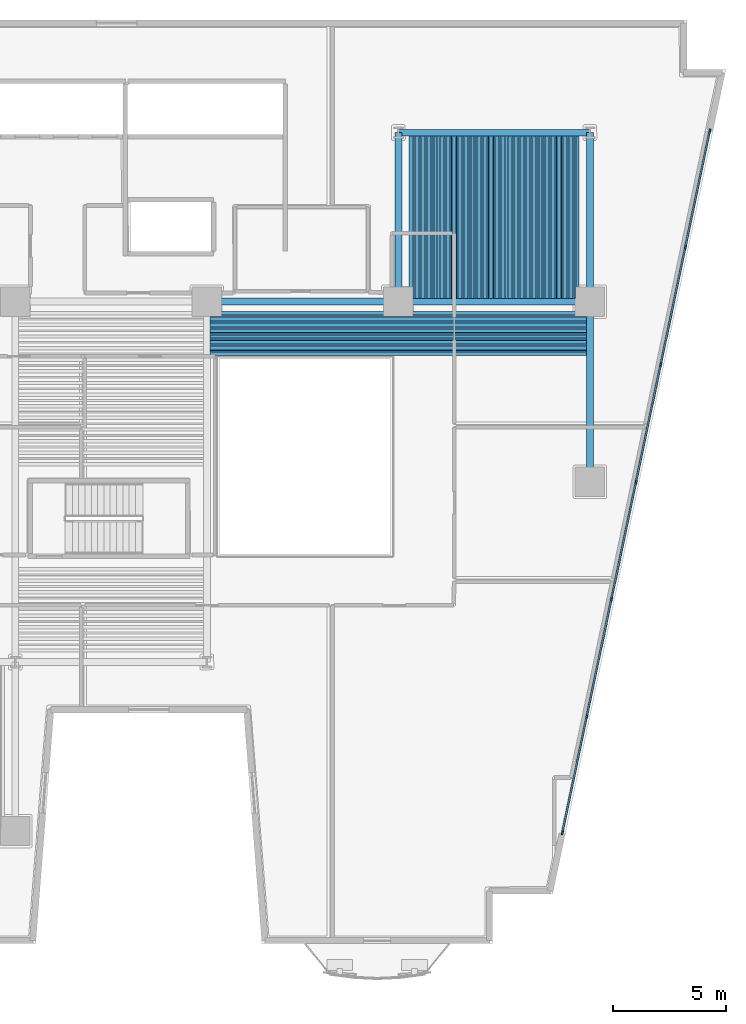
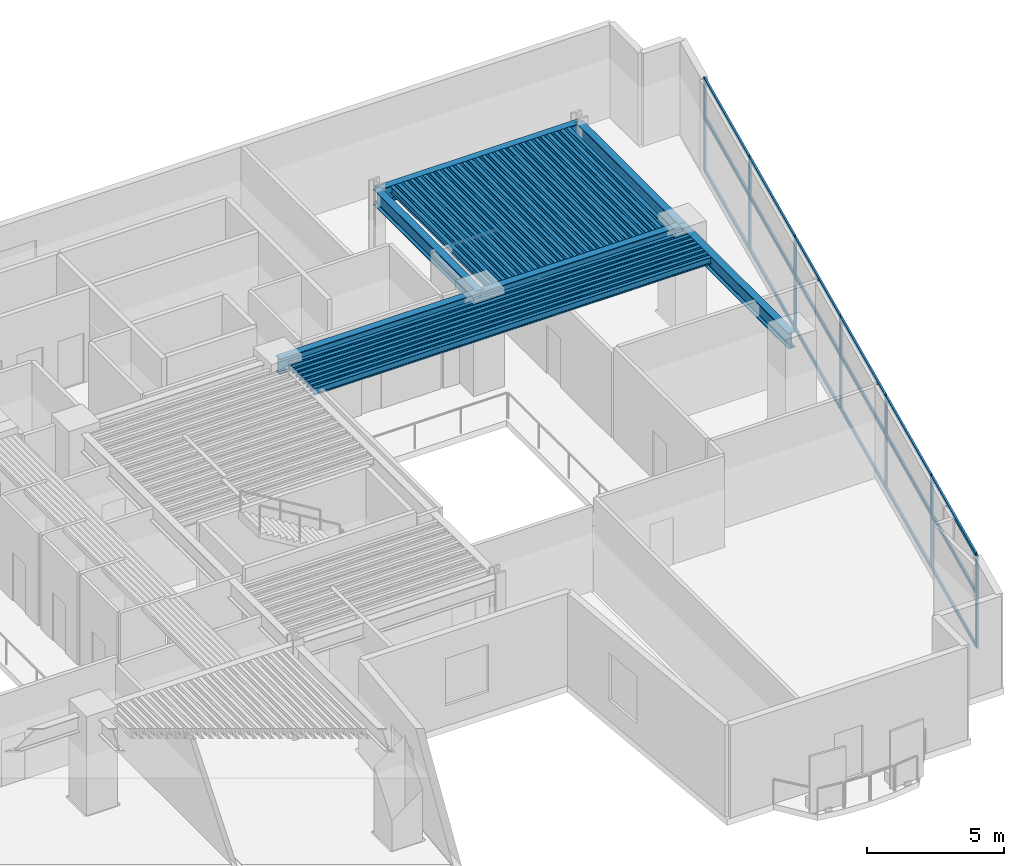
# One storey, part 2 of 12: 76 beams, 25 members, 1 element without a shape of its own.
"""IFC4 building model written with IfcOpenShell, lengths in metres."""

import ifcopenshell
import ifcopenshell.guid

model = None  # the IFC model being written
_history = None  # IfcOwnerHistory: only IFC2X3 demands one
_inside = {}  # id of a spatial element -> (the spatial element, [elements in it])
_under = {}  # id of a project, library or spatial element -> (it, [spatial elements below it])
_declared = {}  # id of a project -> (the project, [libraries it declares])
_typed = {}  # id of a type object -> (the type object, [elements of that type])
_made_of = {}  # id of a material, layer set ... -> (it, [elements and type objects made of it])


def new_model(schema):
    """Start an empty IFC model of exactly this schema.

    Asked for "IFC4X3", IfcOpenShell would pick the latest addendum, in which some entities
    have other attributes; the version numbers below select the first issue.
    IFC2X3 requires an IfcOwnerHistory on every rooted entity: one is made here for all.
    """
    global model, _history
    if schema == "IFC4X3":
        model = ifcopenshell.file(schema_version=(4, 3, 0, 0))
    else:
        model = ifcopenshell.file(schema=schema)
    _inside.clear()
    _under.clear()
    _declared.clear()
    _typed.clear()
    _made_of.clear()
    _history = None
    if model.schema == "IFC2X3":
        org = make("IfcOrganization", Name="unknown")
        user = make(
            "IfcPersonAndOrganization",
            ThePerson=make("IfcPerson", FamilyName="unknown"),
            TheOrganization=org,
        )
        app = make(
            "IfcApplication",
            ApplicationDeveloper=org,
            Version="unknown",
            ApplicationFullName="unknown",
            ApplicationIdentifier="unknown",
        )
        _history = make(
            "IfcOwnerHistory",
            OwningUser=user,
            OwningApplication=app,
            ChangeAction="ADDED",
            CreationDate=0,
        )
    return model


def make(cls, **values):
    """One entity of the class cls with the attributes given. An attribute that is None is left unset."""
    return model.create_entity(
        cls, **{name: value for name, value in values.items() if value is not None}
    )


def rooted(cls, **values):
    """An entity with a GlobalId (a new one), such as an element, a storey or a relation."""
    return make(cls, GlobalId=ifcopenshell.guid.new(), OwnerHistory=_history, **values)


def si_unit(unit_type, name, prefix=None):
    """IfcSIUnit, for example si_unit("LENGTHUNIT", "METRE", prefix="MILLI")."""
    return make("IfcSIUnit", UnitType=unit_type, Prefix=prefix, Name=name)


def assignment(units):
    """IfcUnitAssignment: the units of a project."""
    return None if units is None else make("IfcUnitAssignment", Units=units)


def point(xyz):
    """IfcCartesianPoint."""
    return None if xyz is None else make("IfcCartesianPoint", Coordinates=xyz)


def direction(xyz):
    """IfcDirection."""
    return None if xyz is None else make("IfcDirection", DirectionRatios=xyz)


def frame(location, z_axis=None, x_axis=None):
    """IfcAxis2Placement3D, a coordinate frame: its origin and axes. An axis left out is left unset."""
    return make(
        "IfcAxis2Placement3D",
        Location=point(location),
        Axis=direction(z_axis),
        RefDirection=direction(x_axis),
    )


def frame_2d(location, x_axis=None):
    """IfcAxis2Placement2D, a coordinate frame in the plane: its origin and x axis."""
    return make(
        "IfcAxis2Placement2D", Location=point(location), RefDirection=direction(x_axis)
    )


def origin():
    """The frame at (0, 0, 0) with its axes left unset."""
    return frame((0.0, 0.0, 0.0))


def origin_2d():
    """The frame at (0, 0) in the plane with its x axis left unset."""
    return frame_2d((0.0, 0.0))


def place(relative_to, where):
    """IfcLocalPlacement: puts the frame where relative to a parent placement (None: the world)."""
    return make(
        "IfcLocalPlacement", PlacementRelTo=relative_to, RelativePlacement=where
    )


def context(
    kind, dimensions, precision=None, world=None, true_north=None, identifier=None
):
    """IfcGeometricRepresentationContext, for example the 3D "Model" context."""
    return make(
        "IfcGeometricRepresentationContext",
        ContextIdentifier=identifier,
        ContextType=kind,
        CoordinateSpaceDimension=dimensions,
        Precision=precision,
        WorldCoordinateSystem=world,
        TrueNorth=true_north,
    )


def subcontext(parent, identifier, kind, view, scale=None):
    """IfcGeometricRepresentationSubContext, for example "Body" below "Model"."""
    return make(
        "IfcGeometricRepresentationSubContext",
        ContextIdentifier=identifier,
        ContextType=kind,
        ParentContext=parent,
        TargetScale=scale,
        TargetView=view,
    )


def project(units=None, contexts=None):
    """IfcProject with its units and contexts."""
    return rooted(
        "IfcProject",
        Name="project",
        RepresentationContexts=contexts,
        UnitsInContext=assignment(units),
    )


def spatial(cls, under=None, at=None, **own):
    """A site, building, storey or space (cls), placed at a placement, below another one or the project."""
    s = rooted(cls, ObjectPlacement=at, **own)
    if under is not None:
        _under.setdefault(under.id(), (under, []))[1].append(s)
    return s


def profile(cls, at=None, kind="AREA", **sizes):
    """A parametric profile (cls). Its sizes go by their IFC names, for example OverallWidth=200.0."""
    return make(cls, ProfileType=kind, Position=at, **sizes)


def rectangle(**sizes):
    """IfcRectangleProfileDef."""
    return profile("IfcRectangleProfileDef", **sizes)


def hollow_rectangle(**sizes):
    """IfcRectangleHollowProfileDef."""
    return profile("IfcRectangleHollowProfileDef", **sizes)


def i_section(**sizes):
    """IfcIShapeProfileDef."""
    return profile("IfcIShapeProfileDef", **sizes)


def extrude(swept, where, along, depth):
    """IfcExtrudedAreaSolid: the profile swept, set in the frame where, extruded along a direction by depth."""
    return make(
        "IfcExtrudedAreaSolid",
        SweptArea=swept,
        Position=where,
        ExtrudedDirection=direction(along),
        Depth=depth,
    )


def shape(context_of_items, identifier, shape_type, items):
    """IfcShapeRepresentation: the items that make up one representation, for example the "Body"."""
    return make(
        "IfcShapeRepresentation",
        ContextOfItems=context_of_items,
        RepresentationIdentifier=identifier,
        RepresentationType=shape_type,
        Items=items,
    )


def material(Name=None, Category=None):
    """IfcMaterial."""
    return make("IfcMaterial", Name=Name, Category=Category)


def layer(
    of_material, thickness, ventilated=None, Name=None, Category=None, Priority=None
):
    """IfcMaterialLayer: one layer of a wall or slab, of a material (None: an air gap)."""
    return make(
        "IfcMaterialLayer",
        Material=of_material,
        LayerThickness=thickness,
        IsVentilated=ventilated,
        Name=Name,
        Category=Category,
        Priority=Priority,
    )


def layer_set(layers, Name=None):
    """IfcMaterialLayerSet."""
    return make("IfcMaterialLayerSet", MaterialLayers=layers, LayerSetName=Name)


def material_profile(
    of_material, cross_section, Name=None, Category=None, Priority=None
):
    """IfcMaterialProfile: a cross section and its material."""
    return make(
        "IfcMaterialProfile",
        Name=Name,
        Material=of_material,
        Profile=cross_section,
        Priority=Priority,
        Category=Category,
    )


def profile_set(profiles, Name=None, composite=None):
    """IfcMaterialProfileSet."""
    return make(
        "IfcMaterialProfileSet",
        Name=Name,
        MaterialProfiles=profiles,
        CompositeProfile=composite,
    )


def made_of(thing, what):
    """Note that an element or type object is made of a material, layer set ...; save() writes the relation."""
    if what is not None:
        _made_of.setdefault(what.id(), (what, []))[1].append(thing)
    return thing


def type_object(cls, material=None, **own):
    """A type object (cls), such as IfcWallType, which elements share."""
    return made_of(rooted(cls, **own), material)


def element(
    cls,
    number,
    at=None,
    inside=None,
    cuts=None,
    type_object=None,
    material=None,
    context=None,
    identifier="Body",
    shape_type=None,
    held_by="IfcProductDefinitionShape",
    body=None,
    shapes=None,
    **own,
):
    """One element of the class cls, such as IfcWall. Its Tag is "e" and its number.

    at: its placement. inside: the storey or other place that contains it. cuts: it is an
    opening in that element (IfcRelVoidsElement). A single representation is given by context,
    identifier, shape_type and body (its items); several are given by shapes. held_by: the class
    of the entity that holds the representations. save() writes the other relations.
    """
    e = rooted(cls, Tag="e%d" % number, ObjectPlacement=at, **own)
    if body is not None:
        shapes = [shape(context, identifier, shape_type, body)]
    if shapes is not None:
        e.Representation = make(held_by, Representations=shapes)
    if inside is not None:
        _inside.setdefault(inside.id(), (inside, []))[1].append(e)
    if cuts is not None:
        rooted(
            "IfcRelVoidsElement", RelatingBuildingElement=cuts, RelatedOpeningElement=e
        )
    if type_object is not None:
        _typed.setdefault(type_object.id(), (type_object, []))[1].append(e)
    return made_of(e, material)


def aggregate(whole, parts):
    """IfcRelAggregates: a whole, such as a stair, and the parts it consists of."""
    return rooted("IfcRelAggregates", RelatingObject=whole, RelatedObjects=parts)


def save(model, path):
    """Write the relations noted so far, then the file.

    IfcRelAggregates (storeys below a building ...), IfcRelContainedInSpatialStructure (elements
    in a storey), IfcRelDefinesByType, IfcRelAssociatesMaterial and IfcRelDeclares: one each for
    every whole, place, type object, material and project.
    """
    for whole, parts in _under.values():
        aggregate(whole, parts)
    for where, things in _inside.values():
        rooted(
            "IfcRelContainedInSpatialStructure",
            RelatedElements=things,
            RelatingStructure=where,
        )
    for kind, things in _typed.values():
        rooted("IfcRelDefinesByType", RelatedObjects=things, RelatingType=kind)
    for what, things in _made_of.values():
        rooted("IfcRelAssociatesMaterial", RelatedObjects=things, RelatingMaterial=what)
    for by, libraries in _declared.values():
        rooted("IfcRelDeclares", RelatingContext=by, RelatedDefinitions=libraries)
    model.write(path)


model = new_model("IFC4")

# Units and contexts
model_context = context("Model", 3, precision=1e-05, world=origin(), true_north=direction((0.0, 1.0)))
body_context = subcontext(model_context, "Body", "Model", "MODEL_VIEW")
ifc_project = project(units=[si_unit("LENGTHUNIT", "METRE"), si_unit("AREAUNIT", "SQUARE_METRE"), si_unit("VOLUMEUNIT", "CUBIC_METRE"), si_unit("PLANEANGLEUNIT", "RADIAN"), si_unit("MASSUNIT", "GRAM", prefix="KILO")], contexts=[model_context])

# Site, building, storey
site_placement = place(None, origin())
site = spatial("IfcSite", under=ifc_project, at=site_placement, CompositionType="ELEMENT")
building_placement = place(site_placement, origin())
building = spatial("IfcBuilding", under=site, at=building_placement, Name="Caeloran Harvest Quay", CompositionType="ELEMENT")
storey_placement = place(building_placement, frame((0.0, 0.0, 79.800048828125)))
storey = spatial("IfcBuildingStorey", under=building, at=storey_placement, Name="L18", CompositionType="ELEMENT", Elevation=79.800048828125)

# Beams
ifc_material_1 = material(Name="Steel S355J2", Category="steel")
ifc_material_profile_1 = material_profile(ifc_material_1, i_section(OverallWidth=0.300048828125, OverallDepth=0.699951171875, WebThickness=0.01708984375, FlangeThickness=0.031982421875, FilletRadius=0.027099609375, at=origin_2d()), Name="HE 700 B")
ifc_profile_set_1 = profile_set([ifc_material_profile_1], Name="Steel S355J2")
beam_type_1 = type_object("IfcBeamType", Name="BM-PG-2-HE_700_B", PredefinedType="BEAM", material=ifc_profile_set_1)
for number, where, z_axis, x_axis, name in (
    (1, (34.0, 31.0, 3.764892578125), (1.0, 0.0, 0.0), (0.0, 1.0, 0.0), "L18 Primary East-West Girder Y=31.0"),
    (2, (42.5, 31.0, 3.764892578125), (1.0, 0.0, 0.0), (0.0, 1.0, 0.0), "L18 Primary East-West Girder Y=31.0"),
    (3, (42.5, 38.5, 3.764892578125), (1.0, 0.0, 0.0), (0.0, 1.0, 0.0), "L18 Primary East-West Girder Y=38.5"),
):
    element("IfcBeam", number, at=place(storey_placement, frame(where, z_axis=z_axis, x_axis=x_axis)), inside=storey, type_object=beam_type_1, Name=name, PredefinedType="BEAM", context=body_context, shape_type="SweptSolid", body=[
        extrude(i_section(OverallWidth=0.300048828125, OverallDepth=0.699951171875, WebThickness=0.01708984375, FlangeThickness=0.031982421875, FilletRadius=0.027099609375, at=origin_2d()), origin(), (0.0, 0.0, 1.0), 8.5),
    ])
beam_1_placement = place(storey_placement, frame((42.5, 31.0, 3.764892578125), z_axis=(0.0, 1.0, 0.0), x_axis=(-1.0, 0.0, 0.0)))
element("IfcBeam", 4, at=beam_1_placement, inside=storey, type_object=beam_type_1, Name="L18 Primary North-South Girder X=42.5", PredefinedType="BEAM", context=body_context, shape_type="SweptSolid", body=[
    extrude(i_section(OverallWidth=0.300048828125, OverallDepth=0.699951171875, WebThickness=0.01708984375, FlangeThickness=0.031982421875, FilletRadius=0.027099609375, at=origin_2d()), origin(), (0.0, 0.0, 1.0), 7.5),
])
beam_2_placement = place(storey_placement, frame((51.0, 23.0, 3.764892578125), z_axis=(0.0, 1.0, 0.0), x_axis=(-1.0, 0.0, 0.0)))
element("IfcBeam", 5, at=beam_2_placement, inside=storey, type_object=beam_type_1, Name="L18 Primary North-South Girder X=51.0", PredefinedType="BEAM", context=body_context, shape_type="SweptSolid", body=[
    extrude(i_section(OverallWidth=0.300048828125, OverallDepth=0.699951171875, WebThickness=0.01708984375, FlangeThickness=0.031982421875, FilletRadius=0.027099609375, at=origin_2d()), origin(), (0.0, 0.0, 1.0), 8.0),
])
beam_3_placement = place(storey_placement, frame((51.0, 31.0, 3.764892578125), z_axis=(0.0, 1.0, 0.0), x_axis=(-1.0, 0.0, 0.0)))
element("IfcBeam", 6, at=beam_3_placement, inside=storey, type_object=beam_type_1, Name="L18 Primary North-South Girder X=51.0", PredefinedType="BEAM", context=body_context, shape_type="SweptSolid", body=[
    extrude(i_section(OverallWidth=0.300048828125, OverallDepth=0.699951171875, WebThickness=0.01708984375, FlangeThickness=0.031982421875, FilletRadius=0.027099609375, at=origin_2d()), origin(), (0.0, 0.0, 1.0), 7.5),
])
ifc_material_profile_2 = material_profile(ifc_material_1, i_section(OverallWidth=0.14990234375, OverallDepth=0.300048828125, WebThickness=0.007080078125, FlangeThickness=0.0107421875, FilletRadius=0.014892578125, at=origin_2d()), Name="IPE 300")
ifc_profile_set_2 = profile_set([ifc_material_profile_2], Name="Steel S355J2")
beam_type_2 = type_object("IfcBeamType", Name="BM-SB-6-IPE_300", PredefinedType="JOIST", material=ifc_profile_set_2)
for number, where, z_axis, x_axis, name in (
    (7, (43.04833984375, 31.14501953125, 3.96484375), (0.0, 1.0, 0.0), (-1.0, 0.0, 0.0), "L18 Secondary Composite Joist"),
    (8, (43.322509765625, 31.14501953125, 3.96484375), (0.0, 1.0, 0.0), (-1.0, 0.0, 0.0), "L18 Secondary Composite Joist"),
    (9, (43.5966796875, 31.14501953125, 3.96484375), (0.0, 1.0, 0.0), (-1.0, 0.0, 0.0), "L18 Secondary Composite Joist"),
    (10, (43.87109375, 31.14501953125, 3.96484375), (0.0, 1.0, 0.0), (-1.0, 0.0, 0.0), "L18 Secondary Composite Joist"),
    (11, (44.145263671875, 31.14501953125, 3.96484375), (0.0, 1.0, 0.0), (-1.0, 0.0, 0.0), "L18 Secondary Composite Joist"),
    (12, (44.41943359375, 31.14501953125, 3.96484375), (0.0, 1.0, 0.0), (-1.0, 0.0, 0.0), "L18 Secondary Composite Joist"),
    (13, (44.693603515625, 31.14501953125, 3.96484375), (0.0, 1.0, 0.0), (-1.0, 0.0, 0.0), "L18 Secondary Composite Joist"),
    (14, (44.9677734375, 31.14501953125, 3.96484375), (0.0, 1.0, 0.0), (-1.0, 0.0, 0.0), "L18 Secondary Composite Joist"),
    (15, (45.241943359375, 31.14501953125, 3.96484375), (0.0, 1.0, 0.0), (-1.0, 0.0, 0.0), "L18 Secondary Composite Joist"),
    (16, (45.51611328125, 31.14501953125, 3.96484375), (0.0, 1.0, 0.0), (-1.0, 0.0, 0.0), "L18 Secondary Composite Joist"),
    (17, (45.790283203125, 31.14501953125, 3.96484375), (0.0, 1.0, 0.0), (-1.0, 0.0, 0.0), "L18 Secondary Composite Joist"),
    (18, (46.064453125, 31.14501953125, 3.96484375), (0.0, 1.0, 0.0), (-1.0, 0.0, 0.0), "L18 Secondary Composite Joist"),
    (19, (46.338623046875, 31.14501953125, 3.96484375), (0.0, 1.0, 0.0), (-1.0, 0.0, 0.0), "L18 Secondary Composite Joist"),
    (20, (46.61279296875, 31.14501953125, 3.96484375), (0.0, 1.0, 0.0), (-1.0, 0.0, 0.0), "L18 Secondary Composite Joist"),
    (21, (46.88720703125, 31.14501953125, 3.96484375), (0.0, 1.0, 0.0), (-1.0, 0.0, 0.0), "L18 Secondary Composite Joist"),
    (22, (47.161376953125, 31.14501953125, 3.96484375), (0.0, 1.0, 0.0), (-1.0, 0.0, 0.0), "L18 Secondary Composite Joist"),
    (23, (47.435546875, 31.14501953125, 3.96484375), (0.0, 1.0, 0.0), (-1.0, 0.0, 0.0), "L18 Secondary Composite Joist"),
    (24, (47.709716796875, 31.14501953125, 3.96484375), (0.0, 1.0, 0.0), (-1.0, 0.0, 0.0), "L18 Secondary Composite Joist"),
    (25, (47.98388671875, 31.14501953125, 3.96484375), (0.0, 1.0, 0.0), (-1.0, 0.0, 0.0), "L18 Secondary Composite Joist"),
    (26, (48.258056640625, 31.14501953125, 3.96484375), (0.0, 1.0, 0.0), (-1.0, 0.0, 0.0), "L18 Secondary Composite Joist"),
    (27, (48.5322265625, 31.14501953125, 3.96484375), (0.0, 1.0, 0.0), (-1.0, 0.0, 0.0), "L18 Secondary Composite Joist"),
    (28, (48.806396484375, 31.14501953125, 3.96484375), (0.0, 1.0, 0.0), (-1.0, 0.0, 0.0), "L18 Secondary Composite Joist"),
    (29, (49.08056640625, 31.14501953125, 3.96484375), (0.0, 1.0, 0.0), (-1.0, 0.0, 0.0), "L18 Secondary Composite Joist"),
    (30, (49.354736328125, 31.14501953125, 3.96484375), (0.0, 1.0, 0.0), (-1.0, 0.0, 0.0), "L18 Secondary Composite Joist"),
    (31, (49.62890625, 31.14501953125, 3.96484375), (0.0, 1.0, 0.0), (-1.0, 0.0, 0.0), "L18 Secondary Composite Joist"),
    (32, (49.9033203125, 31.14501953125, 3.96484375), (0.0, 1.0, 0.0), (-1.0, 0.0, 0.0), "L18 Secondary Composite Joist"),
    (33, (50.177490234375, 31.14501953125, 3.96484375), (0.0, 1.0, 0.0), (-1.0, 0.0, 0.0), "L18 Secondary Composite Joist"),
    (34, (50.45166015625, 31.14501953125, 3.96484375), (0.0, 1.0, 0.0), (-1.0, 0.0, 0.0), "L18 Secondary Composite Joist"),
):
    element("IfcBeam", number, at=place(storey_placement, frame(where, z_axis=z_axis, x_axis=x_axis)), inside=storey, type_object=beam_type_2, Name=name, PredefinedType="JOIST", context=body_context, shape_type="SweptSolid", body=[
        extrude(i_section(OverallWidth=0.14990234375, OverallDepth=0.300048828125, WebThickness=0.007080078125, FlangeThickness=0.0107421875, FilletRadius=0.014892578125, at=origin_2d()), origin(), (0.0, 0.0, 1.0), 7.2099609375),
    ])
for number, where, z_axis, x_axis, name in (
    (35, (34.14501953125, 28.677490234375, 3.96484375), (1.0, 0.0, 0.0), (0.0, 1.0, 0.0), "L18 Secondary East-West Composite Joist"),
    (36, (34.14501953125, 28.935546875, 3.96484375), (1.0, 0.0, 0.0), (0.0, 1.0, 0.0), "L18 Secondary East-West Composite Joist"),
    (37, (34.14501953125, 29.193603515625, 3.96484375), (1.0, 0.0, 0.0), (0.0, 1.0, 0.0), "L18 Secondary East-West Composite Joist"),
    (38, (34.14501953125, 29.45166015625, 3.96484375), (1.0, 0.0, 0.0), (0.0, 1.0, 0.0), "L18 Secondary East-West Composite Joist"),
    (39, (34.14501953125, 29.709716796875, 3.96484375), (1.0, 0.0, 0.0), (0.0, 1.0, 0.0), "L18 Secondary East-West Composite Joist"),
    (40, (34.14501953125, 29.9677734375, 3.96484375), (1.0, 0.0, 0.0), (0.0, 1.0, 0.0), "L18 Secondary East-West Composite Joist"),
    (41, (34.14501953125, 30.225830078125, 3.96484375), (1.0, 0.0, 0.0), (0.0, 1.0, 0.0), "L18 Secondary East-West Composite Joist"),
    (42, (34.14501953125, 30.48388671875, 3.96484375), (1.0, 0.0, 0.0), (0.0, 1.0, 0.0), "L18 Secondary East-West Composite Joist"),
):
    element("IfcBeam", number, at=place(storey_placement, frame(where, z_axis=z_axis, x_axis=x_axis)), inside=storey, type_object=beam_type_2, Name=name, PredefinedType="JOIST", context=body_context, shape_type="SweptSolid", body=[
        extrude(i_section(OverallWidth=0.14990234375, OverallDepth=0.300048828125, WebThickness=0.007080078125, FlangeThickness=0.0107421875, FilletRadius=0.014892578125, at=origin_2d()), origin(), (0.0, 0.0, 1.0), 16.7099609375),
    ])
ifc_material_profile_3 = material_profile(ifc_material_1, hollow_rectangle(XDim=0.080078125, YDim=0.199951171875, WallThickness=0.006103515625, InnerFilletRadius=0.006103515625, OuterFilletRadius=0.009033203125, at=origin_2d()), Name="RHS 200x80x6")
ifc_profile_set_3 = profile_set([ifc_material_profile_3], Name="Steel S355J2")
beam_type_3 = type_object("IfcBeamType", Name="BM-SB-7-RHS_200x80x6", PredefinedType="JOIST", material=ifc_profile_set_3)
for number, where, z_axis, x_axis, name in (
    (43, (43.185546875, 31.14501953125, 4.014892578125), (0.0, 1.0, 0.0), (-1.0, 0.0, 0.0), "L18 Secondary Composite Joist"),
    (44, (43.459716796875, 31.14501953125, 4.014892578125), (0.0, 1.0, 0.0), (-1.0, 0.0, 0.0), "L18 Secondary Composite Joist"),
    (45, (43.73388671875, 31.14501953125, 4.014892578125), (0.0, 1.0, 0.0), (-1.0, 0.0, 0.0), "L18 Secondary Composite Joist"),
    (46, (44.008056640625, 31.14501953125, 4.014892578125), (0.0, 1.0, 0.0), (-1.0, 0.0, 0.0), "L18 Secondary Composite Joist"),
    (47, (44.2822265625, 31.14501953125, 4.014892578125), (0.0, 1.0, 0.0), (-1.0, 0.0, 0.0), "L18 Secondary Composite Joist"),
    (48, (44.556396484375, 31.14501953125, 4.014892578125), (0.0, 1.0, 0.0), (-1.0, 0.0, 0.0), "L18 Secondary Composite Joist"),
    (49, (44.83056640625, 31.14501953125, 4.014892578125), (0.0, 1.0, 0.0), (-1.0, 0.0, 0.0), "L18 Secondary Composite Joist"),
    (50, (45.104736328125, 31.14501953125, 4.014892578125), (0.0, 1.0, 0.0), (-1.0, 0.0, 0.0), "L18 Secondary Composite Joist"),
    (51, (45.37890625, 31.14501953125, 4.014892578125), (0.0, 1.0, 0.0), (-1.0, 0.0, 0.0), "L18 Secondary Composite Joist"),
    (52, (45.6533203125, 31.14501953125, 4.014892578125), (0.0, 1.0, 0.0), (-1.0, 0.0, 0.0), "L18 Secondary Composite Joist"),
    (53, (45.927490234375, 31.14501953125, 4.014892578125), (0.0, 1.0, 0.0), (-1.0, 0.0, 0.0), "L18 Secondary Composite Joist"),
    (54, (46.20166015625, 31.14501953125, 4.014892578125), (0.0, 1.0, 0.0), (-1.0, 0.0, 0.0), "L18 Secondary Composite Joist"),
    (55, (46.475830078125, 31.14501953125, 4.014892578125), (0.0, 1.0, 0.0), (-1.0, 0.0, 0.0), "L18 Secondary Composite Joist"),
    (56, (46.75, 31.14501953125, 4.014892578125), (0.0, 1.0, 0.0), (-1.0, 0.0, 0.0), "L18 Secondary Composite Joist"),
    (57, (47.024169921875, 31.14501953125, 4.014892578125), (0.0, 1.0, 0.0), (-1.0, 0.0, 0.0), "L18 Secondary Composite Joist"),
    (58, (47.29833984375, 31.14501953125, 4.014892578125), (0.0, 1.0, 0.0), (-1.0, 0.0, 0.0), "L18 Secondary Composite Joist"),
    (59, (47.572509765625, 31.14501953125, 4.014892578125), (0.0, 1.0, 0.0), (-1.0, 0.0, 0.0), "L18 Secondary Composite Joist"),
    (60, (47.8466796875, 31.14501953125, 4.014892578125), (0.0, 1.0, 0.0), (-1.0, 0.0, 0.0), "L18 Secondary Composite Joist"),
    (61, (48.12109375, 31.14501953125, 4.014892578125), (0.0, 1.0, 0.0), (-1.0, 0.0, 0.0), "L18 Secondary Composite Joist"),
    (62, (48.395263671875, 31.14501953125, 4.014892578125), (0.0, 1.0, 0.0), (-1.0, 0.0, 0.0), "L18 Secondary Composite Joist"),
    (63, (48.66943359375, 31.14501953125, 4.014892578125), (0.0, 1.0, 0.0), (-1.0, 0.0, 0.0), "L18 Secondary Composite Joist"),
    (64, (48.943603515625, 31.14501953125, 4.014892578125), (0.0, 1.0, 0.0), (-1.0, 0.0, 0.0), "L18 Secondary Composite Joist"),
    (65, (49.2177734375, 31.14501953125, 4.014892578125), (0.0, 1.0, 0.0), (-1.0, 0.0, 0.0), "L18 Secondary Composite Joist"),
    (66, (49.491943359375, 31.14501953125, 4.014892578125), (0.0, 1.0, 0.0), (-1.0, 0.0, 0.0), "L18 Secondary Composite Joist"),
    (67, (49.76611328125, 31.14501953125, 4.014892578125), (0.0, 1.0, 0.0), (-1.0, 0.0, 0.0), "L18 Secondary Composite Joist"),
    (68, (50.040283203125, 31.14501953125, 4.014892578125), (0.0, 1.0, 0.0), (-1.0, 0.0, 0.0), "L18 Secondary Composite Joist"),
    (69, (50.314453125, 31.14501953125, 4.014892578125), (0.0, 1.0, 0.0), (-1.0, 0.0, 0.0), "L18 Secondary Composite Joist"),
):
    element("IfcBeam", number, at=place(storey_placement, frame(where, z_axis=z_axis, x_axis=x_axis)), inside=storey, type_object=beam_type_3, Name=name, PredefinedType="JOIST", context=body_context, shape_type="SweptSolid", body=[
        extrude(hollow_rectangle(XDim=0.080078125, YDim=0.199951171875, WallThickness=0.006103515625, InnerFilletRadius=0.006103515625, OuterFilletRadius=0.009033203125, at=origin_2d()), origin(), (0.0, 0.0, 1.0), 7.2099609375),
    ])
for number, where, z_axis, x_axis, name in (
    (70, (34.14501953125, 28.806396484375, 4.014892578125), (1.0, 0.0, 0.0), (0.0, 1.0, 0.0), "L18 Secondary East-West Composite Joist"),
    (71, (34.14501953125, 29.064453125, 4.014892578125), (1.0, 0.0, 0.0), (0.0, 1.0, 0.0), "L18 Secondary East-West Composite Joist"),
    (72, (34.14501953125, 29.322509765625, 4.014892578125), (1.0, 0.0, 0.0), (0.0, 1.0, 0.0), "L18 Secondary East-West Composite Joist"),
    (73, (34.14501953125, 29.58056640625, 4.014892578125), (1.0, 0.0, 0.0), (0.0, 1.0, 0.0), "L18 Secondary East-West Composite Joist"),
    (74, (34.14501953125, 29.838623046875, 4.014892578125), (1.0, 0.0, 0.0), (0.0, 1.0, 0.0), "L18 Secondary East-West Composite Joist"),
    (75, (34.14501953125, 30.0966796875, 4.014892578125), (1.0, 0.0, 0.0), (0.0, 1.0, 0.0), "L18 Secondary East-West Composite Joist"),
    (76, (34.14501953125, 30.354736328125, 4.014892578125), (1.0, 0.0, 0.0), (0.0, 1.0, 0.0), "L18 Secondary East-West Composite Joist"),
):
    element("IfcBeam", number, at=place(storey_placement, frame(where, z_axis=z_axis, x_axis=x_axis)), inside=storey, type_object=beam_type_3, Name=name, PredefinedType="JOIST", context=body_context, shape_type="SweptSolid", body=[
        extrude(hollow_rectangle(XDim=0.080078125, YDim=0.199951171875, WallThickness=0.006103515625, InnerFilletRadius=0.006103515625, OuterFilletRadius=0.009033203125, at=origin_2d()), origin(), (0.0, 0.0, 1.0), 16.7099609375),
    ])

# Curtain wall, members
ifc_material_2 = material(Name="Aluminium 6063-T6 and Low-E Glazing", Category="aluminium")
ifc_layer = layer(ifc_material_2, 0.199951171875, Name="Aluminium 6063-T6 and Low-E Glazing")
ifc_layer_set = layer_set([ifc_layer], Name="Aluminium 6063-T6 and Low-E Glazing")
curtain_wall_type = type_object("IfcCurtainWallType", Name="CW-SYS-CW-2", PredefinedType="USERDEFINED", material=ifc_layer_set)
curtain_wall_placement = place(storey_placement, origin())
curtain_wall = element("IfcCurtainWall", 77, at=curtain_wall_placement, inside=storey, type_object=curtain_wall_type, Name="L18 Unitised Curtain Wall CW-2 Run 9", ObjectType="CURTAIN_WALL", PredefinedType="USERDEFINED")
ifc_material_3 = material(Name="Aluminium 6063-T6", Category="aluminium")
ifc_material_profile_4 = material_profile(ifc_material_3, rectangle(XDim=0.080078125, YDim=0.179931640625, at=origin_2d()), Name="CW-MULLION-180")
ifc_profile_set_4 = profile_set([ifc_material_profile_4], Name="Aluminium 6063-T6")
member_type_1 = type_object("IfcMemberType", Name="CW-MULLION-180", PredefinedType="MULLION", material=ifc_profile_set_4)
member_1_placement = place(storey_placement, frame((56.322509765625, 38.576416015625, 0.0), z_axis=(0.0, 0.0, 1.0), x_axis=(0.978639691881, -0.205582960081, 0.0)))
member_1 = element("IfcMember", 78, at=member_1_placement, type_object=member_type_1, Name="CW-2 mullion 1", PredefinedType="MULLION", context=body_context, shape_type="SweptSolid", body=[
    extrude(rectangle(XDim=0.080078125, YDim=0.179931640625, at=origin_2d()), origin(), (0.0, 0.0, 1.0), 4.114990234375),
])
member_2_placement = place(storey_placement, frame((55.2373046875, 33.410400390625, 0.0), z_axis=(0.0, 0.0, 1.0), x_axis=(0.978639691881, -0.205582960081, 0.0)))
member_2 = element("IfcMember", 79, at=member_2_placement, type_object=member_type_1, Name="CW-2 mullion 2", PredefinedType="MULLION", context=body_context, shape_type="SweptSolid", body=[
    extrude(rectangle(XDim=0.080078125, YDim=0.179931640625, at=origin_2d()), origin(), (0.0, 0.0, 1.0), 4.114990234375),
])
member_3_placement = place(storey_placement, frame((54.143798828125, 28.205078125, 0.0), z_axis=(0.0, 0.0, 1.0), x_axis=(0.978639691881, -0.205582960081, 0.0)))
member_3 = element("IfcMember", 80, at=member_3_placement, type_object=member_type_1, Name="CW-2 mullion 3", PredefinedType="MULLION", context=body_context, shape_type="SweptSolid", body=[
    extrude(rectangle(XDim=0.080078125, YDim=0.179931640625, at=origin_2d()), origin(), (0.0, 0.0, 1.0), 4.114990234375),
])
member_4_placement = place(storey_placement, frame((53.050537109375, 23.0, 0.0), z_axis=(0.0, 0.0, 1.0), x_axis=(0.978639691881, -0.205582960081, 0.0)))
member_4 = element("IfcMember", 81, at=member_4_placement, type_object=member_type_1, Name="CW-2 mullion 4", PredefinedType="MULLION", context=body_context, shape_type="SweptSolid", body=[
    extrude(rectangle(XDim=0.080078125, YDim=0.179931640625, at=origin_2d()), origin(), (0.0, 0.0, 1.0), 4.114990234375),
])
member_5_placement = place(storey_placement, frame((51.95703125, 17.794921875, 0.0), z_axis=(0.0, 0.0, 1.0), x_axis=(0.978639691881, -0.205582960081, 0.0)))
member_5 = element("IfcMember", 82, at=member_5_placement, type_object=member_type_1, Name="CW-2 mullion 5", PredefinedType="MULLION", context=body_context, shape_type="SweptSolid", body=[
    extrude(rectangle(XDim=0.080078125, YDim=0.179931640625, at=origin_2d()), origin(), (0.0, 0.0, 1.0), 4.114990234375),
])
member_6_placement = place(storey_placement, frame((50.863525390625, 12.589599609375, 0.0), z_axis=(0.0, 0.0, 1.0), x_axis=(0.978639691881, -0.205582960081, 0.0)))
member_6 = element("IfcMember", 83, at=member_6_placement, type_object=member_type_1, Name="CW-2 mullion 6", PredefinedType="MULLION", context=body_context, shape_type="SweptSolid", body=[
    extrude(rectangle(XDim=0.080078125, YDim=0.179931640625, at=origin_2d()), origin(), (0.0, 0.0, 1.0), 4.114990234375),
])
member_7_placement = place(storey_placement, frame((49.7783203125, 7.423583984375, 0.0), z_axis=(0.0, 0.0, 1.0), x_axis=(0.978639691881, -0.205582960081, 0.0)))
member_7 = element("IfcMember", 84, at=member_7_placement, type_object=member_type_1, Name="CW-2 mullion 7", PredefinedType="MULLION", context=body_context, shape_type="SweptSolid", body=[
    extrude(rectangle(XDim=0.080078125, YDim=0.179931640625, at=origin_2d()), origin(), (0.0, 0.0, 1.0), 4.114990234375),
])
ifc_material_profile_5 = material_profile(ifc_material_3, rectangle(XDim=0.080078125, YDim=0.14990234375, at=origin_2d()), Name="CW-TRANSOM-150")
ifc_profile_set_5 = profile_set([ifc_material_profile_5], Name="Aluminium 6063-T6")
member_type_2 = type_object("IfcMemberType", Name="CW-TRANSOM-150", PredefinedType="USERDEFINED", material=ifc_profile_set_5)
member_8_placement = place(storey_placement, frame((56.314453125, 38.537109375, 0.0400390625), z_axis=(-0.205598644178, -0.978636396989, 0.0), x_axis=(0.978636396989, -0.205598644178, 0.0)))
member_8 = element("IfcMember", 85, at=member_8_placement, type_object=member_type_2, Name="CW-2 transom 1.1", ObjectType="TRANSOM", PredefinedType="USERDEFINED", context=body_context, shape_type="SweptSolid", body=[
    extrude(rectangle(XDim=0.080078125, YDim=0.14990234375, at=origin_2d()), origin(), (0.0, 0.0, 1.0), 5.19873046875),
])
member_9_placement = place(storey_placement, frame((56.314453125, 38.537109375, 2.39990234375), z_axis=(-0.205598644178, -0.978636396989, 0.0), x_axis=(0.978636396989, -0.205598644178, 0.0)))
member_9 = element("IfcMember", 86, at=member_9_placement, type_object=member_type_2, Name="CW-2 transom 1.2", ObjectType="TRANSOM", PredefinedType="USERDEFINED", context=body_context, shape_type="SweptSolid", body=[
    extrude(rectangle(XDim=0.080078125, YDim=0.14990234375, at=origin_2d()), origin(), (0.0, 0.0, 1.0), 5.19873046875),
])
member_10_placement = place(storey_placement, frame((56.314453125, 38.537109375, 4.074951171875), z_axis=(-0.205598644178, -0.978636396989, 0.0), x_axis=(0.978636396989, -0.205598644178, 0.0)))
member_10 = element("IfcMember", 87, at=member_10_placement, type_object=member_type_2, Name="CW-2 transom 1.3", ObjectType="TRANSOM", PredefinedType="USERDEFINED", context=body_context, shape_type="SweptSolid", body=[
    extrude(rectangle(XDim=0.080078125, YDim=0.14990234375, at=origin_2d()), origin(), (0.0, 0.0, 1.0), 5.19873046875),
])
member_11_placement = place(storey_placement, frame((55.229248046875, 33.37109375, 0.0400390625), z_axis=(-0.205615877389, -0.97863277636, 0.0), x_axis=(0.97863277636, -0.205615877389, 0.0)))
member_11 = element("IfcMember", 88, at=member_11_placement, type_object=member_type_2, Name="CW-2 transom 2.1", ObjectType="TRANSOM", PredefinedType="USERDEFINED", context=body_context, shape_type="SweptSolid", body=[
    extrude(rectangle(XDim=0.080078125, YDim=0.14990234375, at=origin_2d()), origin(), (0.0, 0.0, 1.0), 5.238525390625),
])
member_12_placement = place(storey_placement, frame((55.229248046875, 33.37109375, 2.39990234375), z_axis=(-0.205615877389, -0.97863277636, 0.0), x_axis=(0.97863277636, -0.205615877389, 0.0)))
member_12 = element("IfcMember", 89, at=member_12_placement, type_object=member_type_2, Name="CW-2 transom 2.2", ObjectType="TRANSOM", PredefinedType="USERDEFINED", context=body_context, shape_type="SweptSolid", body=[
    extrude(rectangle(XDim=0.080078125, YDim=0.14990234375, at=origin_2d()), origin(), (0.0, 0.0, 1.0), 5.238525390625),
])
member_13_placement = place(storey_placement, frame((55.229248046875, 33.37109375, 4.074951171875), z_axis=(-0.205615877389, -0.97863277636, 0.0), x_axis=(0.97863277636, -0.205615877389, 0.0)))
member_13 = element("IfcMember", 90, at=member_13_placement, type_object=member_type_2, Name="CW-2 transom 2.3", ObjectType="TRANSOM", PredefinedType="USERDEFINED", context=body_context, shape_type="SweptSolid", body=[
    extrude(rectangle(XDim=0.080078125, YDim=0.14990234375, at=origin_2d()), origin(), (0.0, 0.0, 1.0), 5.238525390625),
])
member_14_placement = place(storey_placement, frame((54.1357421875, 28.166015625, 0.0400390625), z_axis=(-0.205606500081, -0.978634746534, 0.0), x_axis=(0.978634746534, -0.205606500081, 0.0)))
member_14 = element("IfcMember", 91, at=member_14_placement, type_object=member_type_2, Name="CW-2 transom 3.1", ObjectType="TRANSOM", PredefinedType="USERDEFINED", context=body_context, shape_type="SweptSolid", body=[
    extrude(rectangle(XDim=0.080078125, YDim=0.14990234375, at=origin_2d()), origin(), (0.0, 0.0, 1.0), 5.23876953125),
])
member_15_placement = place(storey_placement, frame((54.1357421875, 28.166015625, 2.39990234375), z_axis=(-0.205606500081, -0.978634746534, 0.0), x_axis=(0.978634746534, -0.205606500081, 0.0)))
member_15 = element("IfcMember", 92, at=member_15_placement, type_object=member_type_2, Name="CW-2 transom 3.2", ObjectType="TRANSOM", PredefinedType="USERDEFINED", context=body_context, shape_type="SweptSolid", body=[
    extrude(rectangle(XDim=0.080078125, YDim=0.14990234375, at=origin_2d()), origin(), (0.0, 0.0, 1.0), 5.23876953125),
])
member_16_placement = place(storey_placement, frame((54.1357421875, 28.166015625, 4.074951171875), z_axis=(-0.205606500081, -0.978634746534, 0.0), x_axis=(0.978634746534, -0.205606500081, 0.0)))
member_16 = element("IfcMember", 93, at=member_16_placement, type_object=member_type_2, Name="CW-2 transom 3.3", ObjectType="TRANSOM", PredefinedType="USERDEFINED", context=body_context, shape_type="SweptSolid", body=[
    extrude(rectangle(XDim=0.080078125, YDim=0.14990234375, at=origin_2d()), origin(), (0.0, 0.0, 1.0), 5.23876953125),
])
member_17_placement = place(storey_placement, frame((53.042236328125, 22.9609375, 0.0400390625), z_axis=(-0.205561867825, -0.978644122496, 0.0), x_axis=(0.978644122496, -0.205561867825, 0.0)))
member_17 = element("IfcMember", 94, at=member_17_placement, type_object=member_type_2, Name="CW-2 transom 4.1", ObjectType="TRANSOM", PredefinedType="USERDEFINED", context=body_context, shape_type="SweptSolid", body=[
    extrude(rectangle(XDim=0.080078125, YDim=0.14990234375, at=origin_2d()), origin(), (0.0, 0.0, 1.0), 5.23876953125),
])
member_18_placement = place(storey_placement, frame((53.042236328125, 22.9609375, 2.39990234375), z_axis=(-0.205561867825, -0.978644122496, 0.0), x_axis=(0.978644122496, -0.205561867825, 0.0)))
member_18 = element("IfcMember", 95, at=member_18_placement, type_object=member_type_2, Name="CW-2 transom 4.2", ObjectType="TRANSOM", PredefinedType="USERDEFINED", context=body_context, shape_type="SweptSolid", body=[
    extrude(rectangle(XDim=0.080078125, YDim=0.14990234375, at=origin_2d()), origin(), (0.0, 0.0, 1.0), 5.23876953125),
])
member_19_placement = place(storey_placement, frame((53.042236328125, 22.9609375, 4.074951171875), z_axis=(-0.205561867825, -0.978644122496, 0.0), x_axis=(0.978644122496, -0.205561867825, 0.0)))
member_19 = element("IfcMember", 96, at=member_19_placement, type_object=member_type_2, Name="CW-2 transom 4.3", ObjectType="TRANSOM", PredefinedType="USERDEFINED", context=body_context, shape_type="SweptSolid", body=[
    extrude(rectangle(XDim=0.080078125, YDim=0.14990234375, at=origin_2d()), origin(), (0.0, 0.0, 1.0), 5.23876953125),
])
member_20_placement = place(storey_placement, frame((51.94873046875, 17.755615234375, 0.0400390625), z_axis=(-0.205571243277, -0.978642153158, 0.0), x_axis=(0.978642153158, -0.205571243277, 0.0)))
member_20 = element("IfcMember", 97, at=member_20_placement, type_object=member_type_2, Name="CW-2 transom 5.1", ObjectType="TRANSOM", PredefinedType="USERDEFINED", context=body_context, shape_type="SweptSolid", body=[
    extrude(rectangle(XDim=0.080078125, YDim=0.14990234375, at=origin_2d()), origin(), (0.0, 0.0, 1.0), 5.238525390625),
])
member_21_placement = place(storey_placement, frame((51.94873046875, 17.755615234375, 2.39990234375), z_axis=(-0.205571243277, -0.978642153158, 0.0), x_axis=(0.978642153158, -0.205571243277, 0.0)))
member_21 = element("IfcMember", 98, at=member_21_placement, type_object=member_type_2, Name="CW-2 transom 5.2", ObjectType="TRANSOM", PredefinedType="USERDEFINED", context=body_context, shape_type="SweptSolid", body=[
    extrude(rectangle(XDim=0.080078125, YDim=0.14990234375, at=origin_2d()), origin(), (0.0, 0.0, 1.0), 5.238525390625),
])
member_22_placement = place(storey_placement, frame((51.94873046875, 17.755615234375, 4.074951171875), z_axis=(-0.205571243277, -0.978642153158, 0.0), x_axis=(0.978642153158, -0.205571243277, 0.0)))
member_22 = element("IfcMember", 99, at=member_22_placement, type_object=member_type_2, Name="CW-2 transom 5.3", ObjectType="TRANSOM", PredefinedType="USERDEFINED", context=body_context, shape_type="SweptSolid", body=[
    extrude(rectangle(XDim=0.080078125, YDim=0.14990234375, at=origin_2d()), origin(), (0.0, 0.0, 1.0), 5.238525390625),
])
member_23_placement = place(storey_placement, frame((50.855224609375, 12.550537109375, 0.0400390625), z_axis=(-0.205553666865, -0.978645845052, 0.0), x_axis=(0.978645845052, -0.205553666865, 0.0)))
member_23 = element("IfcMember", 100, at=member_23_placement, type_object=member_type_2, Name="CW-2 transom 6.1", ObjectType="TRANSOM", PredefinedType="USERDEFINED", context=body_context, shape_type="SweptSolid", body=[
    extrude(rectangle(XDim=0.080078125, YDim=0.14990234375, at=origin_2d()), origin(), (0.0, 0.0, 1.0), 5.19873046875),
])
member_24_placement = place(storey_placement, frame((50.855224609375, 12.550537109375, 2.39990234375), z_axis=(-0.205553666865, -0.978645845052, 0.0), x_axis=(0.978645845052, -0.205553666865, 0.0)))
member_24 = element("IfcMember", 101, at=member_24_placement, type_object=member_type_2, Name="CW-2 transom 6.2", ObjectType="TRANSOM", PredefinedType="USERDEFINED", context=body_context, shape_type="SweptSolid", body=[
    extrude(rectangle(XDim=0.080078125, YDim=0.14990234375, at=origin_2d()), origin(), (0.0, 0.0, 1.0), 5.19873046875),
])
member_25_placement = place(storey_placement, frame((50.855224609375, 12.550537109375, 4.074951171875), z_axis=(-0.205553666865, -0.978645845052, 0.0), x_axis=(0.978645845052, -0.205553666865, 0.0)))
member_25 = element("IfcMember", 102, at=member_25_placement, type_object=member_type_2, Name="CW-2 transom 6.3", ObjectType="TRANSOM", PredefinedType="USERDEFINED", context=body_context, shape_type="SweptSolid", body=[
    extrude(rectangle(XDim=0.080078125, YDim=0.14990234375, at=origin_2d()), origin(), (0.0, 0.0, 1.0), 5.19873046875),
])
aggregate(curtain_wall, [member_1, member_2, member_3, member_4, member_5, member_6, member_7, member_8, member_9, member_10, member_11, member_12, member_13, member_14, member_15, member_16, member_17, member_18, member_19, member_20, member_21, member_22, member_23, member_24, member_25])

save(model, "model.ifc")
